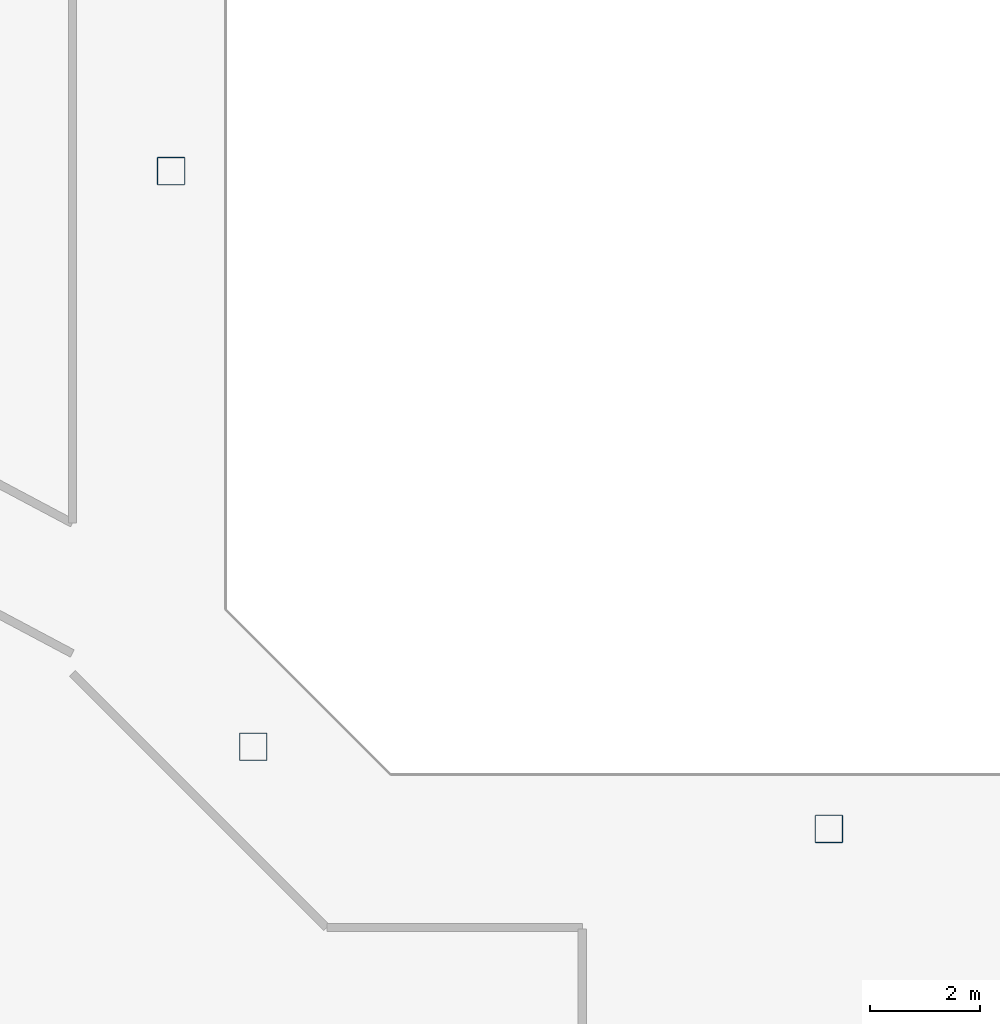
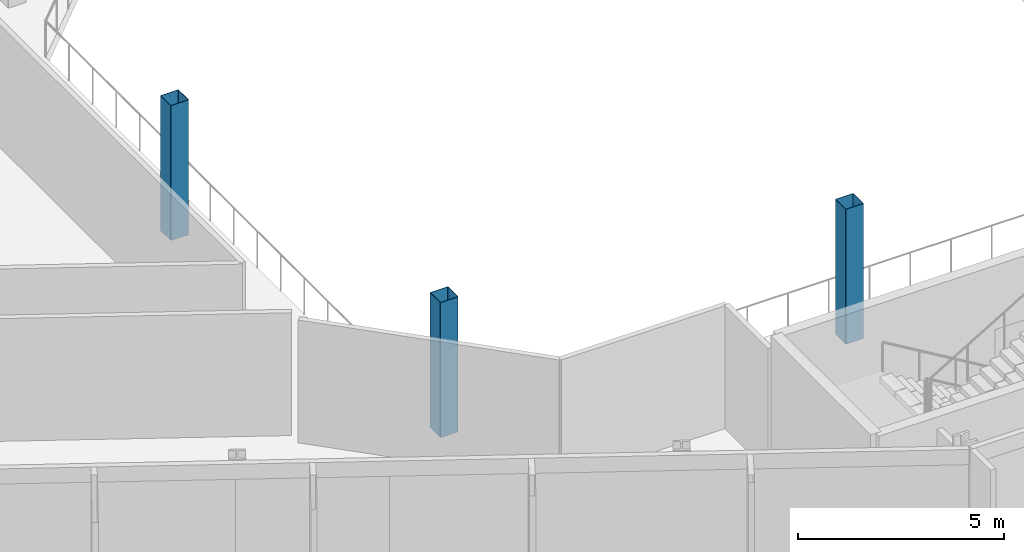
# One storey, part 2 of 28: 3 columns.
"""IFC4 building model written with IfcOpenShell, lengths in metres."""

from ifc_helpers import new_model, si_unit, direction, frame, origin, origin_2d, place, context, subcontext, project, spatial, hollow_rectangle, extrude, material, material_profile, profile_set, type_object, element, save


model = new_model("IFC4")

# Units and contexts
model_context = context("Model", 3, precision=1e-05, world=origin(), true_north=direction((0.0, 1.0)))
body_context = subcontext(model_context, "Body", "Model", "MODEL_VIEW")
ifc_project = project(units=[si_unit("LENGTHUNIT", "METRE"), si_unit("AREAUNIT", "SQUARE_METRE"), si_unit("VOLUMEUNIT", "CUBIC_METRE"), si_unit("PLANEANGLEUNIT", "RADIAN"), si_unit("MASSUNIT", "GRAM", prefix="KILO")], contexts=[model_context])

# Site, building, storey
site_placement = place(None, origin())
site = spatial("IfcSite", under=ifc_project, at=site_placement, CompositionType="ELEMENT")
building_placement = place(site_placement, origin())
building = spatial("IfcBuilding", under=site, at=building_placement, Name="Cormorant Relay Tower", CompositionType="ELEMENT")
storey_placement = place(building_placement, frame((0.0, 0.0, 138.199951171875)))
storey = spatial("IfcBuildingStorey", under=building, at=storey_placement, Name="L28", CompositionType="ELEMENT", Elevation=138.199951171875)

# Columns
ifc_material = material(Name="Steel ASTM A500 Grade C (Fy 345 MPa)", Category="steel")
ifc_material_profile = material_profile(ifc_material, hollow_rectangle(XDim=0.508056640625, YDim=0.508056640625, WallThickness=0.01171875, InnerFilletRadius=0.005859375, OuterFilletRadius=0.017822265625, at=origin_2d()), Name="HSS508x508x12")
ifc_profile_set = profile_set([ifc_material_profile], Name="Steel ASTM A500 Grade C (Fy 345 MPa)")
column_type = type_object("IfcColumnType", Name="Column HSS508x508x12", PredefinedType="COLUMN", material=ifc_profile_set)
for number, where, z_axis, x_axis, name in (
    (1, (0.0, -12.0, 0.0), (0.0, 0.0, 1.0), (1.0, 0.0, 0.0), "Column L28-007"),
    (2, (-10.5, -10.5, 0.0), (0.0, 0.0, 1.0), (1.0, 0.0, 0.0), "Column L28-009"),
    (3, (-12.0, 0.0, 0.0), (0.0, 0.0, 1.0), (1.0, 0.0, 0.0), "Column L28-015"),
):
    element("IfcColumn", number, at=place(storey_placement, frame(where, z_axis=z_axis, x_axis=x_axis)), inside=storey, type_object=column_type, Name=name, PredefinedType="COLUMN", context=body_context, shape_type="SweptSolid", body=[
        extrude(hollow_rectangle(XDim=0.508056640625, YDim=0.508056640625, WallThickness=0.01171875, InnerFilletRadius=0.005859375, OuterFilletRadius=0.017822265625, at=origin_2d()), origin(), (0.0, 0.0, 1.0), 4.0),
    ])

save(model, "model.ifc")
